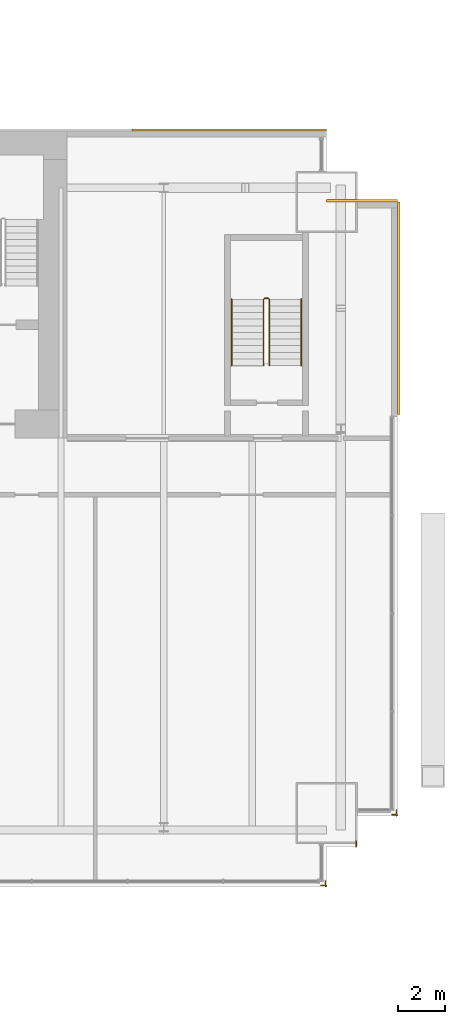
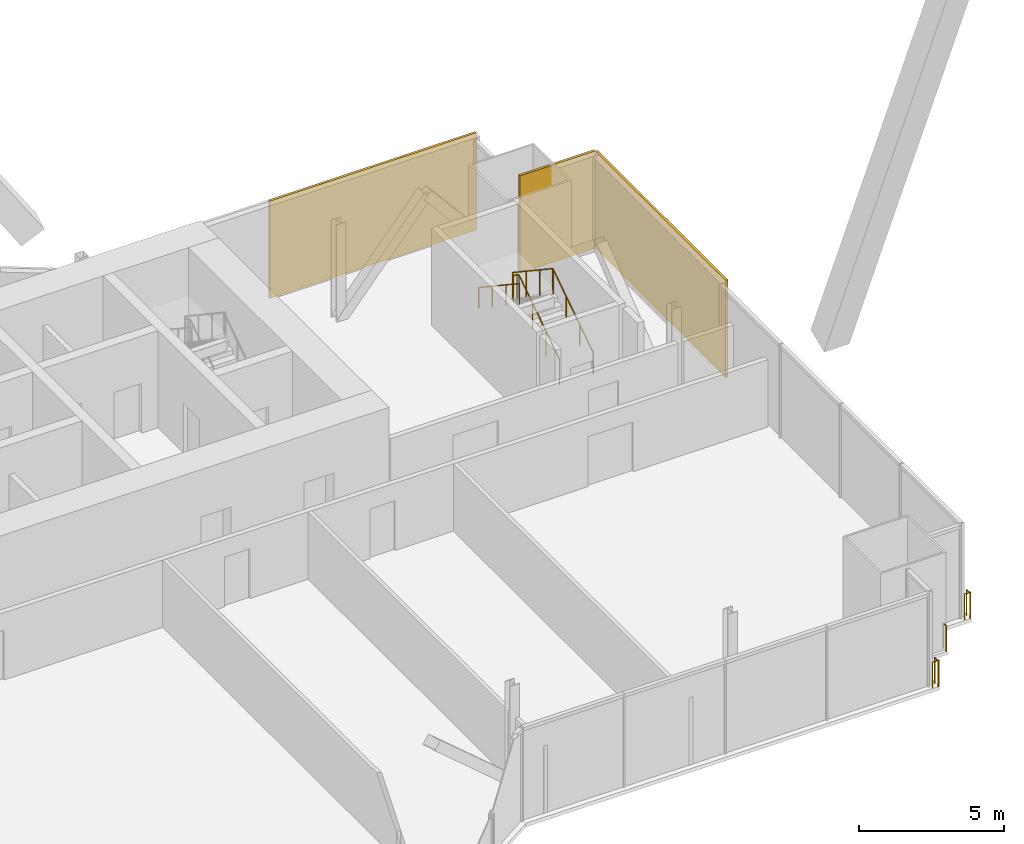
# One storey, part 24 of 24: 6 railings, 3 coverings.
"""IFC4 building model written with IfcOpenShell, lengths in metres."""

from ifc_helpers import new_model, si_unit, direction, frame, origin, origin_2d, place, context, subcontext, project, spatial, rectangle, circle, extrude, material, layer, layer_set, type_object, element, save


model = new_model("IFC4")

# Units and contexts
model_context = context("Model", 3, precision=1e-05, world=origin(), true_north=direction((0.0, 1.0)))
body_context = subcontext(model_context, "Body", "Model", "MODEL_VIEW")
ifc_project = project(units=[si_unit("LENGTHUNIT", "METRE"), si_unit("AREAUNIT", "SQUARE_METRE"), si_unit("VOLUMEUNIT", "CUBIC_METRE"), si_unit("PLANEANGLEUNIT", "RADIAN"), si_unit("MASSUNIT", "GRAM", prefix="KILO")], contexts=[model_context])

# Site, building, storey
site_placement = place(None, origin())
site = spatial("IfcSite", under=ifc_project, at=site_placement, CompositionType="ELEMENT")
building_placement = place(site_placement, origin())
building = spatial("IfcBuilding", under=site, at=building_placement, Name="Bicima Exchange Tower", CompositionType="ELEMENT")
storey_placement = place(building_placement, frame((0.0, 0.0, 211.39990234375)))
storey = spatial("IfcBuildingStorey", under=building, at=storey_placement, Name="L47", CompositionType="ELEMENT", Elevation=211.39990234375)

# Coverings
ifc_material_1 = material(Name="Bronze metal cladding")
ifc_layer_1 = layer(ifc_material_1, 0.004)
ifc_material_2 = material(Name="Ventilated cavity")
ifc_layer_2 = layer(ifc_material_2, 0.06)
ifc_material_3 = material(Name="Galvanised steel rail and mineral wool", Category="steel")
ifc_layer_3 = layer(ifc_material_3, 0.036)
ifc_layer_set = layer_set([ifc_layer_1, ifc_layer_2, ifc_layer_3], Name="Ventilated cavity")
covering_type = type_object("IfcCoveringType", Name="Bronze metal cladding panel 100", PredefinedType="CLADDING", material=ifc_layer_set)
covering_1_placement = place(storey_placement, frame((28.875, 0.050048828125, -0.14990234375), z_axis=(0.0, 0.0, 1.0), x_axis=(-1.0, 0.0, 0.0)))
element("IfcCovering", 1, at=covering_1_placement, inside=storey, type_object=covering_type, Name="Bronze cladding L47 1.1", PredefinedType="CLADDING", context=body_context, shape_type="SweptSolid", body=[
    extrude(rectangle(XDim=8.25, YDim=0.10009765625, at=origin_2d()), origin(), (0.0, 0.0, 1.0), 4.10009765625),
])
covering_2_placement = place(storey_placement, frame((36.050048828125, -7.5, -0.14990234375), z_axis=(0.0, 0.0, 1.0), x_axis=(0.0, 1.0, 0.0)))
element("IfcCovering", 2, at=covering_2_placement, inside=storey, type_object=covering_type, Name="Bronze cladding L47 50.1", PredefinedType="CLADDING", context=body_context, shape_type="SweptSolid", body=[
    extrude(rectangle(XDim=9.0, YDim=0.10009765625, at=origin_2d()), origin(), (0.0, 0.0, 1.0), 4.10009765625),
])
covering_3_placement = place(storey_placement, frame((34.5, -2.949951171875, -0.14990234375), z_axis=(0.0, 0.0, 1.0), x_axis=(-1.0, 0.0, 0.0)))
element("IfcCovering", 3, at=covering_3_placement, inside=storey, type_object=covering_type, Name="Bronze cladding L47 51.1", PredefinedType="CLADDING", context=body_context, shape_type="SweptSolid", body=[
    extrude(rectangle(XDim=3.0, YDim=0.10009765625, at=origin_2d()), origin(), (0.0, 0.0, 1.0), 4.10009765625),
])

# Railings
ifc_material_4 = material(Name="Stainless steel and bonded safety glass", Category="steel")
railing_type_1 = type_object("IfcRailingType", Name="Edge guard 1100", PredefinedType="GUARDRAIL", material=ifc_material_4)
railing_1_placement = place(storey_placement, frame((35.949951171875, -28.74609375, 0.0)))
element("IfcRailing", 4, at=railing_1_placement, inside=storey, type_object=railing_type_1, Name="Edge guard L47 238", PredefinedType="GUARDRAIL", context=body_context, shape_type="SweptSolid", body=[
    extrude(circle(Radius=0.02392578125, at=origin_2d()), frame((0.0, 0.0, 1.076171875), z_axis=(0.0, -1.0, 0.0), x_axis=(1.0, 0.0, 0.0)), (0.0, 0.0, 1.0), 0.25),
    extrude(circle(Radius=0.02392578125, at=origin_2d()), frame((0.0, -0.25, 1.076171875), z_axis=(0.707106781187, 0.707106781187, 0.0), x_axis=(-0.707106781187, 0.707106781187, 0.0)), (0.0, 0.0, 1.0), 0.07080078125),
    extrude(circle(Radius=0.02392578125, at=origin_2d()), frame((0.050048828125, -0.199951171875, 1.076171875), z_axis=(-1.0, 0.0, 0.0), x_axis=(0.0, -1.0, 0.0)), (0.0, 0.0, 1.0), 0.242919921875),
    extrude(circle(Radius=0.02099609375, at=origin_2d()), origin(), (0.0, 0.0, 1.0), 1.052001953125),
    extrude(circle(Radius=0.02099609375, at=origin_2d()), frame((0.0, -0.25, 0.0)), (0.0, 0.0, 1.0), 1.052001953125),
    extrude(circle(Radius=0.02099609375, at=origin_2d()), frame((0.050048828125, -0.199951171875, 0.0)), (0.0, 0.0, 1.0), 1.052001953125),
    extrude(circle(Radius=0.02099609375, at=origin_2d()), frame((-0.19287109375, -0.199951171875, 0.0)), (0.0, 0.0, 1.0), 1.052001953125),
])
railing_2_placement = place(storey_placement, frame((34.25, -30.0791015625, 0.0)))
element("IfcRailing", 5, at=railing_2_placement, inside=storey, type_object=railing_type_1, Name="Edge guard L47 239", PredefinedType="GUARDRAIL", context=body_context, shape_type="SweptSolid", body=[
    extrude(circle(Radius=0.02392578125, at=origin_2d()), frame((0.0, 0.0, 1.076171875), z_axis=(0.0, -1.0, 0.0), x_axis=(1.0, 0.0, 0.0)), (0.0, 0.0, 1.0), 0.216796875),
    extrude(circle(Radius=0.02099609375, at=origin_2d()), origin(), (0.0, 0.0, 1.0), 1.052001953125),
    extrude(circle(Radius=0.02099609375, at=origin_2d()), frame((0.0, -0.216796875, 0.0)), (0.0, 0.0, 1.0), 1.052001953125),
])
railing_3_placement = place(storey_placement, frame((32.949951171875, -31.7529296875, 0.0)))
element("IfcRailing", 6, at=railing_3_placement, inside=storey, type_object=railing_type_1, Name="Edge guard L47 240", PredefinedType="GUARDRAIL", context=body_context, shape_type="SweptSolid", body=[
    extrude(circle(Radius=0.02392578125, at=origin_2d()), frame((0.0, 0.0, 1.076171875), z_axis=(0.0, -1.0, 0.0), x_axis=(1.0, 0.0, 0.0)), (0.0, 0.0, 1.0), 0.2431640625),
    extrude(circle(Radius=0.02392578125, at=origin_2d()), frame((0.0, -0.2431640625, 1.076171875), z_axis=(0.707106781187, 0.707106781187, 0.0), x_axis=(-0.707106781187, 0.707106781187, 0.0)), (0.0, 0.0, 1.0), 0.07080078125),
    extrude(circle(Radius=0.02392578125, at=origin_2d()), frame((0.050048828125, -0.193115234375, 1.076171875), z_axis=(-1.0, 0.0, 0.0), x_axis=(0.0, -1.0, 0.0)), (0.0, 0.0, 1.0), 0.25),
    extrude(circle(Radius=0.02099609375, at=origin_2d()), origin(), (0.0, 0.0, 1.0), 1.052001953125),
    extrude(circle(Radius=0.02099609375, at=origin_2d()), frame((0.0, -0.2431640625, 0.0)), (0.0, 0.0, 1.0), 1.052001953125),
    extrude(circle(Radius=0.02099609375, at=origin_2d()), frame((0.050048828125, -0.193115234375, 0.0)), (0.0, 0.0, 1.0), 1.052001953125),
    extrude(circle(Radius=0.02099609375, at=origin_2d()), frame((-0.199951171875, -0.193115234375, 0.0)), (0.0, 0.0, 1.0), 1.052001953125),
])
ifc_material_5 = material(Name="Stainless steel", Category="steel")
railing_type_2 = type_object("IfcRailingType", Name="Stair guard 1100", PredefinedType="GUARDRAIL", material=ifc_material_5)
railing_4_placement = place(storey_placement, frame((30.574951171875, -9.925048828125, 0.1865234375)))
element("IfcRailing", 7, at=railing_4_placement, inside=storey, type_object=railing_type_2, Name="L47 ST-EE stair guard 1", PredefinedType="GUARDRAIL", context=body_context, shape_type="SweptSolid", body=[
    extrude(circle(Radius=0.02392578125, at=origin_2d()), frame((0.0, 0.0, 1.076171875), z_axis=(0.0, 0.832485552168, 0.554046753832), x_axis=(-1.0, 0.0, 0.0)), (0.0, 0.0, 1.0), 3.363525390625),
    extrude(circle(Radius=0.02392578125, at=origin_2d()), frame((0.0, 2.800048828125, 2.939453125), z_axis=(-0.707106781187, 0.707106781187, 0.0), x_axis=(-0.707106781187, -0.707106781187, 0.0)), (0.0, 0.0, 1.0), 0.07080078125),
    extrude(circle(Radius=0.02392578125, at=origin_2d()), frame((-0.050048828125, 2.85009765625, 2.939453125), z_axis=(-1.0, 0.0, 0.0), x_axis=(0.0, -1.0, 0.0)), (0.0, 0.0, 1.0), 0.14990234375),
    extrude(circle(Radius=0.02392578125, at=origin_2d()), frame((-0.199951171875, 2.85009765625, 2.939453125), z_axis=(-0.250869701741, -0.250869701741, 0.934948546978), x_axis=(0.707106781187, -0.707106781187, 0.0)), (0.0, 0.0, 1.0), 0.199462890625),
    extrude(circle(Radius=0.02392578125, at=origin_2d()), frame((-0.25, 2.800048828125, 3.1259765625), z_axis=(0.0, -0.832485552168, 0.554046753832), x_axis=(1.0, 0.0, 0.0)), (0.0, 0.0, 1.0), 3.363525390625),
    extrude(circle(Radius=0.02099609375, at=origin_2d()), origin(), (0.0, 0.0, 1.0), 1.052001953125),
    extrude(circle(Radius=0.02099609375, at=origin_2d()), frame((0.0, 0.933349609375, 0.62109375)), (0.0, 0.0, 1.0), 1.052001953125),
    extrude(circle(Radius=0.02099609375, at=origin_2d()), frame((0.0, 1.86669921875, 1.242431640625)), (0.0, 0.0, 1.0), 1.052001953125),
    extrude(circle(Radius=0.02099609375, at=origin_2d()), frame((0.0, 2.800048828125, 1.863525390625)), (0.0, 0.0, 1.0), 1.052001953125),
    extrude(circle(Radius=0.02099609375, at=origin_2d()), frame((-0.050048828125, 2.85009765625, 1.863525390625)), (0.0, 0.0, 1.0), 1.052001953125),
    extrude(circle(Radius=0.02099609375, at=origin_2d()), frame((-0.199951171875, 2.85009765625, 1.863525390625)), (0.0, 0.0, 1.0), 1.052001953125),
    extrude(circle(Radius=0.02099609375, at=origin_2d()), frame((-0.25, 2.800048828125, 2.050048828125)), (0.0, 0.0, 1.0), 1.052001953125),
    extrude(circle(Radius=0.02099609375, at=origin_2d()), frame((-0.25, 1.86669921875, 2.671142578125)), (0.0, 0.0, 1.0), 1.052001953125),
    extrude(circle(Radius=0.02099609375, at=origin_2d()), frame((-0.25, 0.933349609375, 3.29248046875)), (0.0, 0.0, 1.0), 1.052001953125),
    extrude(circle(Radius=0.02099609375, at=origin_2d()), frame((-0.25, 0.0, 3.91357421875)), (0.0, 0.0, 1.0), 1.052001953125),
])
railing_type_3 = type_object("IfcRailingType", Name="Stair handrail 900", PredefinedType="HANDRAIL", material=ifc_material_5)
railing_5_placement = place(storey_placement, frame((31.925048828125, -9.925048828125, 0.1865234375)))
element("IfcRailing", 8, at=railing_5_placement, inside=storey, type_object=railing_type_3, Name="L47 ST-EE stair handrail 1", PredefinedType="HANDRAIL", context=body_context, shape_type="SweptSolid", body=[
    extrude(circle(Radius=0.02392578125, at=origin_2d()), frame((0.0, 0.0, 0.8759765625), z_axis=(0.0, 0.832485552168, 0.554046753832), x_axis=(-1.0, 0.0, 0.0)), (0.0, 0.0, 1.0), 3.363525390625),
    extrude(circle(Radius=0.02099609375, at=origin_2d()), origin(), (0.0, 0.0, 1.0), 0.851806640625),
    extrude(circle(Radius=0.02099609375, at=origin_2d()), frame((0.0, 0.933349609375, 0.62109375)), (0.0, 0.0, 1.0), 0.851806640625),
    extrude(circle(Radius=0.02099609375, at=origin_2d()), frame((0.0, 1.86669921875, 1.242431640625)), (0.0, 0.0, 1.0), 0.851806640625),
    extrude(circle(Radius=0.02099609375, at=origin_2d()), frame((0.0, 2.800048828125, 1.863525390625)), (0.0, 0.0, 1.0), 0.851806640625),
])
railing_6_placement = place(storey_placement, frame((28.97509765625, -7.125, 2.27685546875)))
element("IfcRailing", 9, at=railing_6_placement, inside=storey, type_object=railing_type_3, Name="L47 ST-EE stair handrail 2", PredefinedType="HANDRAIL", context=body_context, shape_type="SweptSolid", body=[
    extrude(circle(Radius=0.02392578125, at=origin_2d()), frame((0.0, 0.0, 0.8759765625), z_axis=(0.0, -0.832485552168, 0.554046753832), x_axis=(1.0, 0.0, 0.0)), (0.0, 0.0, 1.0), 3.363525390625),
    extrude(circle(Radius=0.02099609375, at=origin_2d()), origin(), (0.0, 0.0, 1.0), 0.851806640625),
    extrude(circle(Radius=0.02099609375, at=origin_2d()), frame((0.0, -0.933349609375, 0.62109375)), (0.0, 0.0, 1.0), 0.851806640625),
    extrude(circle(Radius=0.02099609375, at=origin_2d()), frame((0.0, -1.86669921875, 1.242431640625)), (0.0, 0.0, 1.0), 0.851806640625),
    extrude(circle(Radius=0.02099609375, at=origin_2d()), frame((0.0, -2.800048828125, 1.863525390625)), (0.0, 0.0, 1.0), 0.851806640625),
])

save(model, "model.ifc")
